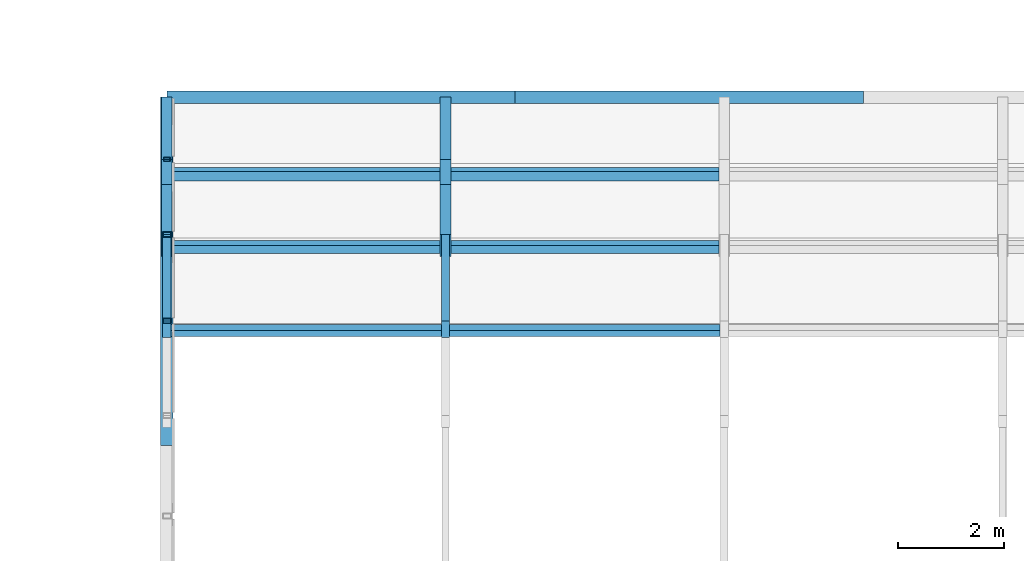
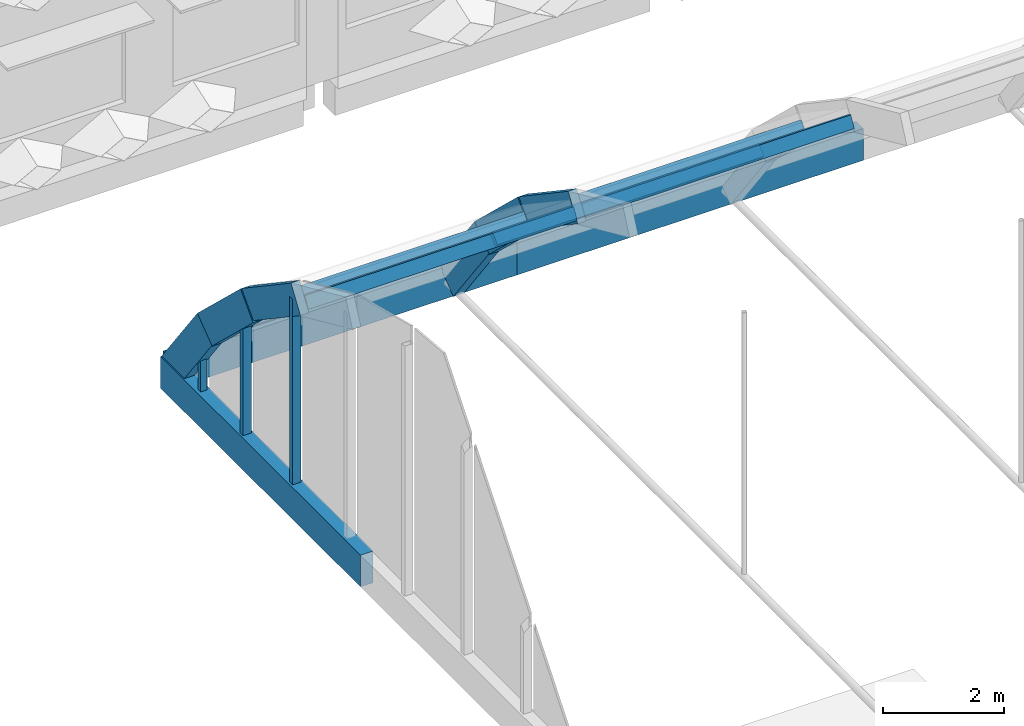
# One storey, part 21 of 102: 15 members, 3 beams.
"""IFC4 building model written with IfcOpenShell, lengths in metres."""

from ifc_helpers import new_model, si_unit, direction, frame, origin, origin_2d, place, context, subcontext, project, spatial, rectangle, hollow_rectangle, extrude, material, material_profile, profile_set, type_object, element, save


model = new_model("IFC4")

# Units and contexts
model_context = context("Model", 3, precision=1e-05, world=origin(), true_north=direction((0.0, 1.0)))
body_context = subcontext(model_context, "Body", "Model", "MODEL_VIEW")
ifc_project = project(units=[si_unit("LENGTHUNIT", "METRE"), si_unit("AREAUNIT", "SQUARE_METRE"), si_unit("VOLUMEUNIT", "CUBIC_METRE"), si_unit("PLANEANGLEUNIT", "RADIAN"), si_unit("MASSUNIT", "GRAM", prefix="KILO")], contexts=[model_context])

# Site, building, storey
site_placement = place(None, origin())
site = spatial("IfcSite", under=ifc_project, at=site_placement, CompositionType="ELEMENT")
building_placement = place(site_placement, origin())
building = spatial("IfcBuilding", under=site, at=building_placement, Name="Lantern Court Research Institute", CompositionType="ELEMENT")
storey_placement = place(building_placement, frame((0.0, 0.0, 9.89990234375)))
storey = spatial("IfcBuildingStorey", under=building, at=storey_placement, Name="L02", CompositionType="ELEMENT", Elevation=9.89990234375)

# Members
ifc_material_1 = material(Name="Structural steel S355", Category="steel")
ifc_material_profile_1 = material_profile(ifc_material_1, hollow_rectangle(XDim=0.1201171875, YDim=0.080078125, WallThickness=0.0048828125, at=origin_2d()), Name="Gable post RHS 120 x 80 x 5")
ifc_profile_set_1 = profile_set([ifc_material_profile_1], Name="Structural steel S355")
member_type_1 = type_object("IfcMemberType", Name="Gable post RHS 120 x 80 x 5", PredefinedType="POST", material=ifc_profile_set_1)
member_1_placement = place(storey_placement, frame((52.800048828125, 74.72265625, 0.64013671875), z_axis=(0.0, 0.0, 1.0), x_axis=(1.0, 0.0, 0.0)))
element("IfcMember", 1, at=member_1_placement, inside=storey, type_object=member_type_1, Name="Gable post", PredefinedType="POST", context=body_context, shape_type="SweptSolid", body=[
    extrude(hollow_rectangle(XDim=0.1201171875, YDim=0.080078125, WallThickness=0.0048828125, at=origin_2d()), origin(), (0.0, 0.0, 1.0), 1.277587890625),
])
ifc_material_2 = material(Name="Structural steel S355", Category="steel")
ifc_material_profile_2 = material_profile(ifc_material_2, hollow_rectangle(XDim=0.159912109375, YDim=0.10009765625, WallThickness=0.00634765625, at=origin_2d()), Name="Gable post RHS 160 x 100 x 6.3")
ifc_profile_set_2 = profile_set([ifc_material_profile_2], Name="Structural steel S355")
member_type_2 = type_object("IfcMemberType", Name="Gable post RHS 160 x 100 x 6.3", PredefinedType="POST", material=ifc_profile_set_2)
member_2_placement = place(storey_placement, frame((52.800048828125, 71.66259765625, 0.64013671875), z_axis=(0.0, 0.0, 1.0), x_axis=(1.0, 0.0, 0.0)))
element("IfcMember", 2, at=member_2_placement, inside=storey, type_object=member_type_2, Name="Gable post", PredefinedType="POST", context=body_context, shape_type="SweptSolid", body=[
    extrude(hollow_rectangle(XDim=0.159912109375, YDim=0.10009765625, WallThickness=0.00634765625, at=origin_2d()), origin(), (0.0, 0.0, 1.0), 3.732666015625),
])
member_3_placement = place(storey_placement, frame((52.800048828125, 73.296630859375, 0.64013671875), z_axis=(0.0, 0.0, 1.0), x_axis=(1.0, 0.0, 0.0)))
element("IfcMember", 3, at=member_3_placement, inside=storey, type_object=member_type_2, Name="Gable post", PredefinedType="POST", context=body_context, shape_type="SweptSolid", body=[
    extrude(hollow_rectangle(XDim=0.159912109375, YDim=0.10009765625, WallThickness=0.00634765625, at=origin_2d()), origin(), (0.0, 0.0, 1.0), 2.634765625),
])
ifc_material_3 = material(Name="Glued laminated timber GL28h", Category="wood")
ifc_material_profile_3 = material_profile(ifc_material_3, rectangle(XDim=0.159912109375, YDim=0.56005859375, at=origin_2d()), Name="Glulam haunch rib 160 x 560")
ifc_profile_set_3 = profile_set([ifc_material_profile_3], Name="Glued laminated timber GL28h")
member_type_3 = type_object("IfcMemberType", Name="Glulam haunch rib 160 x 560", PredefinedType="RAFTER", material=ifc_profile_set_3)
for number, where, z_axis, x_axis, name in (
    (4, (52.800048828125, 71.50634765625, 4.4404296875), (0.0, 0.830041526637, -0.557701590511), (-1.0, 0.0, 0.0), "Glulam rib"),
    (5, (58.080078125, 71.50634765625, 4.4404296875), (0.0, 0.830041526637, -0.557701590511), (-1.0, 0.0, 0.0), "Glulam rib"),
):
    element("IfcMember", number, at=place(storey_placement, frame(where, z_axis=z_axis, x_axis=x_axis)), inside=storey, type_object=member_type_3, Name=name, PredefinedType="RAFTER", context=body_context, shape_type="SweptSolid", body=[
        extrude(rectangle(XDim=0.159912109375, YDim=0.56005859375, at=origin_2d()), origin(), (0.0, 0.0, 1.0), 1.968505859375),
    ])
ifc_material_4 = material(Name="Glued laminated timber GL28h", Category="wood")
ifc_material_profile_4 = material_profile(ifc_material_4, rectangle(XDim=0.1201171875, YDim=0.239990234375, at=origin_2d()), Name="Glulam purlin 120 x 240")
ifc_profile_set_4 = profile_set([ifc_material_profile_4], Name="Glued laminated timber GL28h")
member_type_4 = type_object("IfcMemberType", Name="Glulam purlin 120 x 240", PredefinedType="PURLIN", material=ifc_profile_set_4)
for number, where, z_axis, x_axis, name in (
    (6, (52.8798828125, 71.47802734375, 4.340576171875), (1.0, 0.0, 0.0), (0.0, 0.874157276961, -0.485642929667), "Glulam purlin"),
    (7, (58.159912109375, 71.47802734375, 4.340576171875), (1.0, 0.0, 0.0), (0.0, 0.874157276961, -0.485642929667), "Glulam purlin"),
):
    element("IfcMember", number, at=place(storey_placement, frame(where, z_axis=z_axis, x_axis=x_axis)), inside=storey, type_object=member_type_4, Name=name, PredefinedType="PURLIN", context=body_context, shape_type="SweptSolid", body=[
        extrude(rectangle(XDim=0.1201171875, YDim=0.239990234375, at=origin_2d()), origin(), (0.0, 0.0, 1.0), 5.1201171875),
    ])
for number, where, z_axis, x_axis, name in (
    (8, (52.89990234375, 73.058837890625, 3.278564453125), (1.0, 0.0, 0.0), (0.0, 0.779999482278, -0.625780159199), "Glulam purlin"),
    (9, (58.179931640625, 73.058837890625, 3.278564453125), (1.0, 0.0, 0.0), (0.0, 0.779999482278, -0.625780159199), "Glulam purlin"),
    (10, (52.89990234375, 74.438232421875, 1.965576171875), (1.0, 0.0, 0.0), (0.0, 0.663608478299, -0.748080067593), "Glulam purlin"),
    (11, (58.179931640625, 74.438232421875, 1.965576171875), (1.0, 0.0, 0.0), (0.0, 0.663608478299, -0.748080067593), "Glulam purlin"),
):
    element("IfcMember", number, at=place(storey_placement, frame(where, z_axis=z_axis, x_axis=x_axis)), inside=storey, type_object=member_type_4, Name=name, PredefinedType="PURLIN", context=body_context, shape_type="SweptSolid", body=[
        extrude(rectangle(XDim=0.1201171875, YDim=0.239990234375, at=origin_2d()), origin(), (0.0, 0.0, 1.0), 5.080078125),
    ])

# Beams
ifc_material_5 = material(Name="Glued laminated timber GL28h", Category="wood")
ifc_material_profile_5 = material_profile(ifc_material_5, rectangle(XDim=0.239990234375, YDim=0.639892578125, at=origin_2d()), Name="Glulam ring beam 240 x 640")
ifc_profile_set_5 = profile_set([ifc_material_profile_5], Name="Glued laminated timber GL28h")
beam_type = type_object("IfcBeamType", Name="Glulam ring beam 240 x 640", PredefinedType="BEAM", material=ifc_profile_set_5)
beam_1_placement = place(storey_placement, frame((52.800048828125, 75.89990234375, 0.320068359375), z_axis=(1.0, 0.0, 0.0), x_axis=(0.0, 1.0, 0.0)))
element("IfcBeam", 12, at=beam_1_placement, inside=storey, type_object=beam_type, Name="Glulam ring beam N", PredefinedType="BEAM", context=body_context, shape_type="SweptSolid", body=[
    extrude(rectangle(XDim=0.239990234375, YDim=0.639892578125, at=origin_2d()), origin(), (0.0, 0.0, 1.0), 6.599853515625),
])
beam_2_placement = place(storey_placement, frame((59.39990234375, 75.89990234375, 0.320068359375), z_axis=(1.0, 0.0, 0.0), x_axis=(0.0, 1.0, 0.0)))
element("IfcBeam", 13, at=beam_2_placement, inside=storey, type_object=beam_type, Name="Glulam ring beam N", PredefinedType="BEAM", context=body_context, shape_type="SweptSolid", body=[
    extrude(rectangle(XDim=0.239990234375, YDim=0.639892578125, at=origin_2d()), origin(), (0.0, 0.0, 1.0), 6.60009765625),
])
beam_3_placement = place(storey_placement, frame((52.800048828125, 69.300048828125, 0.320068359375), z_axis=(0.0, 1.0, 0.0), x_axis=(-1.0, 0.0, 0.0)))
element("IfcBeam", 14, at=beam_3_placement, inside=storey, type_object=beam_type, Name="Glulam ring beam W", PredefinedType="BEAM", context=body_context, shape_type="SweptSolid", body=[
    extrude(rectangle(XDim=0.239990234375, YDim=0.639892578125, at=origin_2d()), origin(), (0.0, 0.0, 1.0), 6.599853515625),
])

# Members
ifc_material_6 = material(Name="Glued laminated timber GL28h", Category="wood")
ifc_material_profile_6 = material_profile(ifc_material_6, rectangle(XDim=0.199951171875, YDim=0.60009765625, at=origin_2d()), Name="Glulam springing rib 200 x 600")
ifc_profile_set_6 = profile_set([ifc_material_profile_6], Name="Glued laminated timber GL28h")
member_type_5 = type_object("IfcMemberType", Name="Glulam springing rib 200 x 600", PredefinedType="RAFTER", material=ifc_profile_set_6)
for number, where, z_axis, x_axis, name in (
    (15, (52.800048828125, 73.08984375, 3.357666015625), (0.0, 0.72437677669, -0.689404297486), (-1.0, 0.0, 0.0), "Glulam rib"),
    (16, (52.800048828125, 74.482177734375, 2.038330078125), (0.0, 0.598133156131, -0.801396735417), (-1.0, 0.0, 0.0), "Glulam rib"),
    (17, (58.080078125, 73.08984375, 3.357666015625), (0.0, 0.72437677669, -0.689404297486), (-1.0, 0.0, 0.0), "Glulam rib"),
    (18, (58.080078125, 74.482177734375, 2.038330078125), (0.0, 0.598133156131, -0.801396735417), (-1.0, 0.0, 0.0), "Glulam rib"),
):
    element("IfcMember", number, at=place(storey_placement, frame(where, z_axis=z_axis, x_axis=x_axis)), inside=storey, type_object=member_type_5, Name=name, PredefinedType="RAFTER", context=body_context, shape_type="SweptSolid", body=[
        extrude(rectangle(XDim=0.199951171875, YDim=0.60009765625, at=origin_2d()), origin(), (0.0, 0.0, 1.0), 1.968505859375),
    ])

save(model, "model.ifc")
